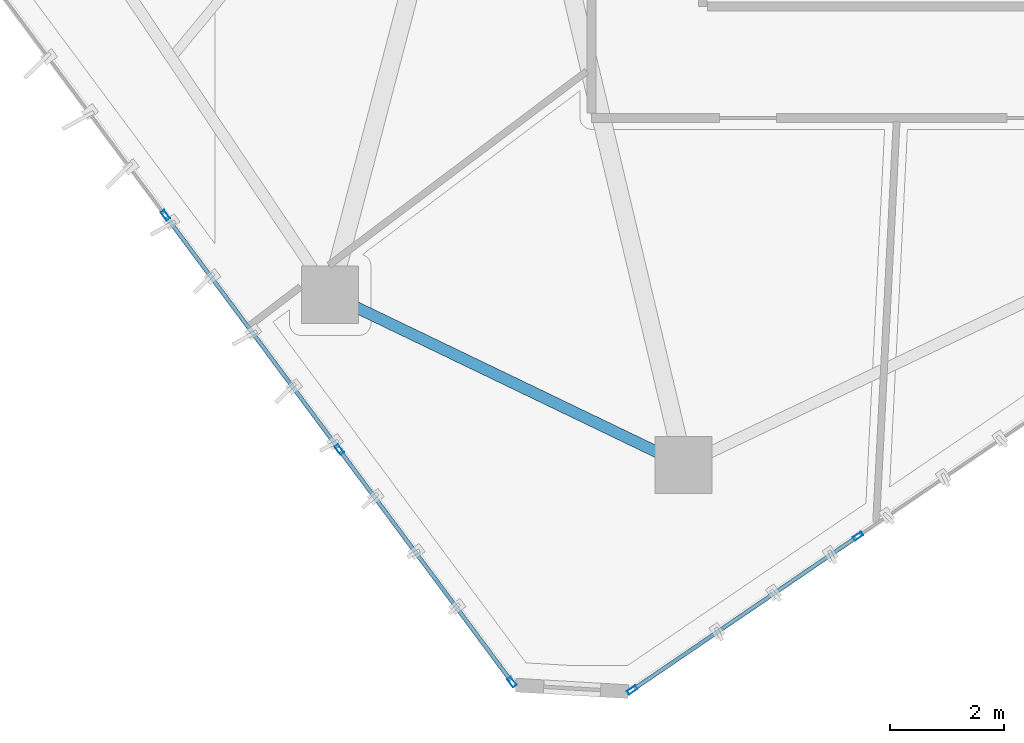
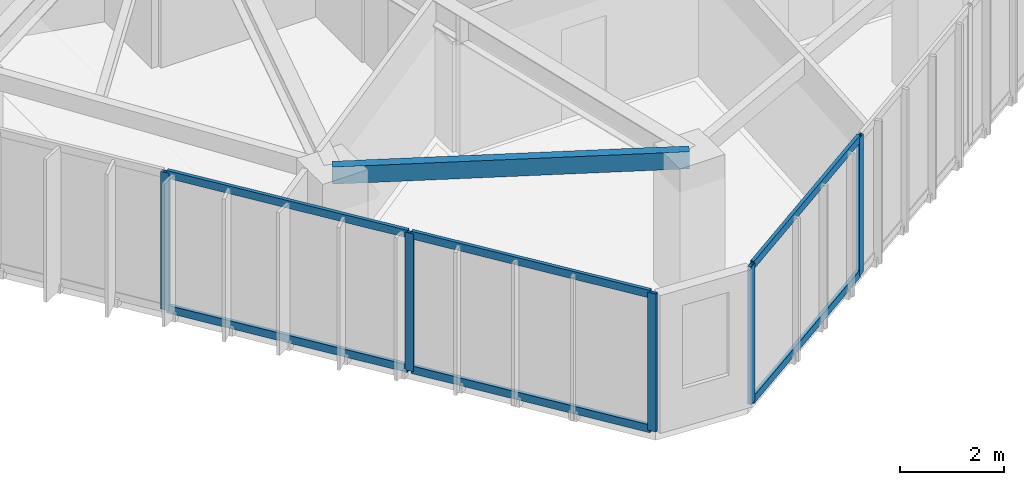
# One storey, part 2 of 20: 11 members, 1 beam, 2 elements without a shape of their own.
"""IFC4 building model written with IfcOpenShell, lengths in metres."""

from ifc_helpers import new_model, si_unit, direction, frame, origin, origin_2d, place, context, subcontext, project, spatial, hollow_rectangle, extrude, source, transform, mapped, material, layer, layer_set, material_profile, profile_set, type_object, type_shapes, element, aggregate, save


model = new_model("IFC4")

# Units and contexts
model_context = context("Model", 3, precision=1e-05, world=origin(), true_north=direction((0.0, 1.0)))
body_context = subcontext(model_context, "Body", "Model", "MODEL_VIEW")
ifc_project = project(units=[si_unit("LENGTHUNIT", "METRE"), si_unit("AREAUNIT", "SQUARE_METRE"), si_unit("VOLUMEUNIT", "CUBIC_METRE"), si_unit("PLANEANGLEUNIT", "RADIAN"), si_unit("MASSUNIT", "GRAM", prefix="KILO")], contexts=[model_context])

# Site, building, storey
site_placement = place(None, origin())
site = spatial("IfcSite", under=ifc_project, at=site_placement, CompositionType="ELEMENT")
building_placement = place(site_placement, origin())
building = spatial("IfcBuilding", under=site, at=building_placement, Name="Talar Marvaseh", CompositionType="ELEMENT")
storey_placement = place(building_placement, frame((0.0, 0.0, 191.5)))
storey = spatial("IfcBuildingStorey", under=building, at=storey_placement, Name="L50", CompositionType="ELEMENT", Elevation=191.5)

# Beam
ifc_material_1 = material(Name="Steel S355", Category="steel")
ifc_material_profile_1 = material_profile(ifc_material_1, hollow_rectangle(XDim=0.199951171875, YDim=0.39990234375, WallThickness=0.013916015625, at=origin_2d()), Name="RHS400x200x14")
ifc_profile_set_1 = profile_set([ifc_material_profile_1], Name="Steel S355")
beam_type = type_object("IfcBeamType", Name="Zone 3 Perimeter Spandrel Beam RHS400x200x14", PredefinedType="SPANDREL", material=ifc_profile_set_1)
beam_placement = place(storey_placement, frame((22.014892578125, 11.51904296875, 3.030029296875), z_axis=(-0.901071562993, 0.433670425975, 0.0), x_axis=(-0.433670425975, -0.901071562993, 0.0)))
element("IfcBeam", 1, at=beam_placement, inside=storey, type_object=beam_type, Name="L50 Zone 3 Perimeter Spandrel Beam RHS400x200x14", PredefinedType="SPANDREL", context=body_context, shape_type="SweptSolid", body=[
    extrude(hollow_rectangle(XDim=0.199951171875, YDim=0.39990234375, WallThickness=0.013916015625, at=origin_2d()), origin(), (0.0, 0.0, 1.0), 6.8759765625),
])

# Curtain wall, members
ifc_material_2 = material(Name="Architectural Aluminium", Category="aluminium")
ifc_layer = layer(ifc_material_2, 0.18994140625)
ifc_layer_set = layer_set([ifc_layer], Name="Architectural Aluminium")
curtain_wall_type = type_object("IfcCurtainWallType", Name="Unitised Solar Atelier Curtain Wall Z3", PredefinedType="NOTDEFINED", material=ifc_layer_set)
curtain_wall_1_placement = place(storey_placement, origin())
curtain_wall_1 = element("IfcCurtainWall", 2, at=curtain_wall_1_placement, inside=storey, type_object=curtain_wall_type, Name="L50 Unitised Solar Atelier Curtain Wall Z3", PredefinedType="NOTDEFINED")
ifc_material_profile_2 = material_profile(ifc_material_2, hollow_rectangle(XDim=0.074951171875, YDim=0.179931640625, WallThickness=0.0048828125, at=origin_2d()), Name="RHS180x75x5")
ifc_profile_set_2 = profile_set([ifc_material_profile_2], Name="Architectural Aluminium")
member_type_1 = type_object("IfcMemberType", Name="Unitised Curtain Wall Standard Mullion RHS180x75x5", PredefinedType="MULLION", material=ifc_profile_set_2)
shared_shape_1 = source(origin(), body_context, "Body", "SweptSolid", [
    extrude(hollow_rectangle(XDim=0.074951171875, YDim=0.179931640625, WallThickness=0.0048828125, at=origin_2d()), origin(), (0.0, 0.0, 1.0), 3.22998046875),
])
type_shapes(member_type_1, [shared_shape_1])
member_1_placement = place(storey_placement, frame((19.005126953125, 7.713623046875, 0.0), z_axis=(0.0, 0.0, 1.0), x_axis=(-0.802855735878, -0.596173353454, 0.0)))
member_1 = element("IfcMember", 3, at=member_1_placement, type_object=member_type_1, Name="CW-Z3 mullion 1", PredefinedType="MULLION", context=body_context, shape_type="MappedRepresentation", body=[
    mapped(shared_shape_1, transform((0.0, 0.0, 0.0), x_axis=(1.0, 0.0, 0.0), y_axis=(0.0, 1.0, 0.0), z_axis=(0.0, 0.0, 1.0), scale=1.0)),
])
member_2_placement = place(storey_placement, frame((15.979248046875, 11.78857421875, 0.0), z_axis=(0.0, 0.0, 1.0), x_axis=(-0.802855735878, -0.596173353454, 0.0)))
member_2 = element("IfcMember", 4, at=member_2_placement, type_object=member_type_1, Name="CW-Z3 mullion 2", PredefinedType="MULLION", context=body_context, shape_type="MappedRepresentation", body=[
    mapped(shared_shape_1, transform((0.0, 0.0, 0.0), x_axis=(1.0, 0.0, 0.0), y_axis=(0.0, 1.0, 0.0), z_axis=(0.0, 0.0, 1.0), scale=1.0)),
])
member_3_placement = place(storey_placement, frame((12.93115234375, 15.8935546875, 0.0), z_axis=(0.0, 0.0, 1.0), x_axis=(-0.802855735878, -0.596173353454, 0.0)))
member_3 = element("IfcMember", 5, at=member_3_placement, type_object=member_type_1, Name="CW-Z3 mullion 3", PredefinedType="MULLION", context=body_context, shape_type="MappedRepresentation", body=[
    mapped(shared_shape_1, transform((0.0, 0.0, 0.0), x_axis=(1.0, 0.0, 0.0), y_axis=(0.0, 1.0, 0.0), z_axis=(0.0, 0.0, 1.0), scale=1.0)),
])

curtain_wall_2_placement = place(storey_placement, origin())
curtain_wall_2 = element("IfcCurtainWall", 6, at=curtain_wall_2_placement, inside=storey, type_object=curtain_wall_type, Name="L50 Unitised Solar Atelier Curtain Wall Z3", PredefinedType="NOTDEFINED")
member_4_placement = place(storey_placement, frame((25.0693359375, 10.26953125, 0.0), z_axis=(0.0, 0.0, 1.0), x_axis=(0.562931836617, -0.826503325657, 0.0)))
member_4 = element("IfcMember", 7, at=member_4_placement, type_object=member_type_1, Name="CW-Z3 mullion 4", PredefinedType="MULLION", context=body_context, shape_type="MappedRepresentation", body=[
    mapped(shared_shape_1, transform((0.0, 0.0, 0.0), x_axis=(1.0, 0.0, 0.0), y_axis=(0.0, 1.0, 0.0), z_axis=(0.0, 0.0, 1.0), scale=1.0)),
])
member_5_placement = place(storey_placement, frame((21.114990234375, 7.576171875, 0.0), z_axis=(0.0, 0.0, 1.0), x_axis=(0.562931836617, -0.826503325657, 0.0)))
member_5 = element("IfcMember", 8, at=member_5_placement, type_object=member_type_1, Name="CW-Z3 mullion 5", PredefinedType="MULLION", context=body_context, shape_type="MappedRepresentation", body=[
    mapped(shared_shape_1, transform((0.0, 0.0, 0.0), x_axis=(1.0, 0.0, 0.0), y_axis=(0.0, 1.0, 0.0), z_axis=(0.0, 0.0, 1.0), scale=1.0)),
])

# Member
ifc_material_profile_3 = material_profile(ifc_material_2, hollow_rectangle(XDim=0.074951171875, YDim=0.179931640625, WallThickness=0.0048828125, at=origin_2d()), Name="RHS180x75x5")
ifc_profile_set_3 = profile_set([ifc_material_profile_3], Name="Architectural Aluminium")
member_type_2 = type_object("IfcMemberType", Name="Unitised Curtain Wall Transom RHS180x75x5", PredefinedType="USERDEFINED", material=ifc_profile_set_3)
shared_shape_2 = source(origin(), body_context, "Body", "SweptSolid", [
    extrude(hollow_rectangle(XDim=0.074951171875, YDim=0.179931640625, WallThickness=0.0048828125, at=origin_2d()), origin(), (0.0, 0.0, 1.0), 5.0380859375),
])
member_6_placement = place(storey_placement, frame((15.95703125, 11.818603515625, 0.03759765625), z_axis=(-0.596201761353, 0.802834640359, 0.0), x_axis=(-0.802834640359, -0.596201761353, 0.0)))
member_6 = element("IfcMember", 9, at=member_6_placement, type_object=member_type_2, Name="CW-Z3 transom 2.1", ObjectType="TRANSOM", PredefinedType="USERDEFINED", context=body_context, shape_type="MappedRepresentation", body=[
    mapped(shared_shape_2, transform((0.0, 0.0, 0.0), x_axis=(1.0, 0.0, 0.0), y_axis=(0.0, 1.0, 0.0), z_axis=(0.0, 0.0, 1.0), scale=1.0)),
])

member_7_placement = place(storey_placement, frame((15.95703125, 11.818603515625, 3.1923828125), z_axis=(-0.596201761353, 0.802834640359, 0.0), x_axis=(-0.802834640359, -0.596201761353, 0.0)))
member_7 = element("IfcMember", 10, at=member_7_placement, type_object=member_type_2, Name="CW-Z3 transom 2.2", ObjectType="TRANSOM", PredefinedType="USERDEFINED", context=body_context, shape_type="MappedRepresentation", body=[
    mapped(shared_shape_2, transform((0.0, 0.0, 0.0), x_axis=(1.0, 0.0, 0.0), y_axis=(0.0, 1.0, 0.0), z_axis=(0.0, 0.0, 1.0), scale=1.0)),
])

shared_shape_3 = source(origin(), body_context, "Body", "SweptSolid", [
    extrude(hollow_rectangle(XDim=0.074951171875, YDim=0.179931640625, WallThickness=0.0048828125, at=origin_2d()), origin(), (0.0, 0.0, 1.0), 5.00048828125),
])
member_8_placement = place(storey_placement, frame((18.98291015625, 7.74365234375, 0.03759765625), z_axis=(-0.596181066294, 0.802850008528, 0.0), x_axis=(-0.802850008528, -0.596181066294, 0.0)))
member_8 = element("IfcMember", 11, at=member_8_placement, type_object=member_type_2, Name="CW-Z3 transom 1.1", ObjectType="TRANSOM", PredefinedType="USERDEFINED", context=body_context, shape_type="MappedRepresentation", body=[
    mapped(shared_shape_3, transform((0.0, 0.0, 0.0), x_axis=(1.0, 0.0, 0.0), y_axis=(0.0, 1.0, 0.0), z_axis=(0.0, 0.0, 1.0), scale=1.0)),
])

member_9_placement = place(storey_placement, frame((18.98291015625, 7.74365234375, 3.1923828125), z_axis=(-0.596181066294, 0.802850008528, 0.0), x_axis=(-0.802850008528, -0.596181066294, 0.0)))
member_9 = element("IfcMember", 12, at=member_9_placement, type_object=member_type_2, Name="CW-Z3 transom 1.2", ObjectType="TRANSOM", PredefinedType="USERDEFINED", context=body_context, shape_type="MappedRepresentation", body=[
    mapped(shared_shape_3, transform((0.0, 0.0, 0.0), x_axis=(1.0, 0.0, 0.0), y_axis=(0.0, 1.0, 0.0), z_axis=(0.0, 0.0, 1.0), scale=1.0)),
])

aggregate(curtain_wall_1, [member_1, member_2, member_3, member_8, member_9, member_6, member_7])

shared_shape_4 = source(origin(), body_context, "Body", "SweptSolid", [
    extrude(hollow_rectangle(XDim=0.074951171875, YDim=0.179931640625, WallThickness=0.0048828125, at=origin_2d()), origin(), (0.0, 0.0, 1.0), 4.70947265625),
])
type_shapes(member_type_2, [shared_shape_2, shared_shape_3, shared_shape_4])
member_10_placement = place(storey_placement, frame((25.038330078125, 10.248291015625, 0.03759765625), z_axis=(-0.826498150274, -0.562939435102, 0.0), x_axis=(0.562939435102, -0.826498150274, 0.0)))
member_10 = element("IfcMember", 13, at=member_10_placement, type_object=member_type_2, Name="CW-Z3 transom 4.1", ObjectType="TRANSOM", PredefinedType="USERDEFINED", context=body_context, shape_type="MappedRepresentation", body=[
    mapped(shared_shape_4, transform((0.0, 0.0, 0.0), x_axis=(1.0, 0.0, 0.0), y_axis=(0.0, 1.0, 0.0), z_axis=(0.0, 0.0, 1.0), scale=1.0)),
])

member_11_placement = place(storey_placement, frame((25.038330078125, 10.248291015625, 3.1923828125), z_axis=(-0.826498150274, -0.562939435102, 0.0), x_axis=(0.562939435102, -0.826498150274, 0.0)))
member_11 = element("IfcMember", 14, at=member_11_placement, type_object=member_type_2, Name="CW-Z3 transom 4.2", ObjectType="TRANSOM", PredefinedType="USERDEFINED", context=body_context, shape_type="MappedRepresentation", body=[
    mapped(shared_shape_4, transform((0.0, 0.0, 0.0), x_axis=(1.0, 0.0, 0.0), y_axis=(0.0, 1.0, 0.0), z_axis=(0.0, 0.0, 1.0), scale=1.0)),
])

aggregate(curtain_wall_2, [member_4, member_5, member_10, member_11])

save(model, "model.ifc")
